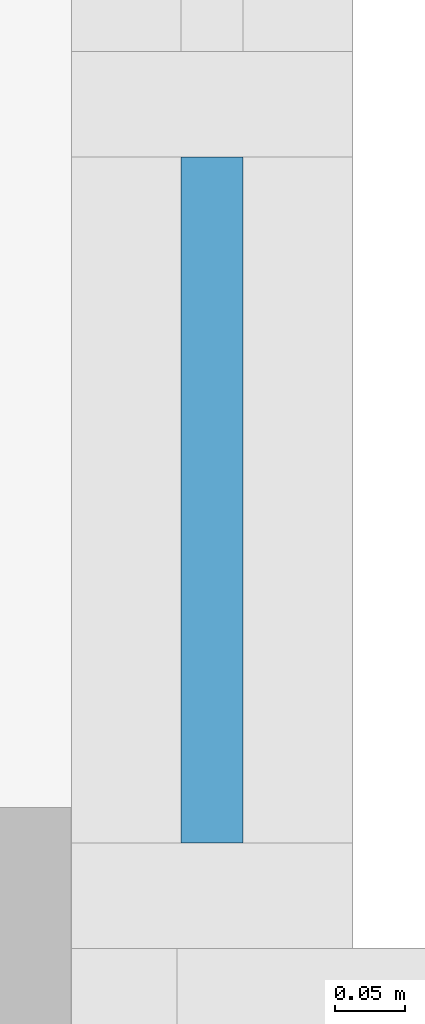
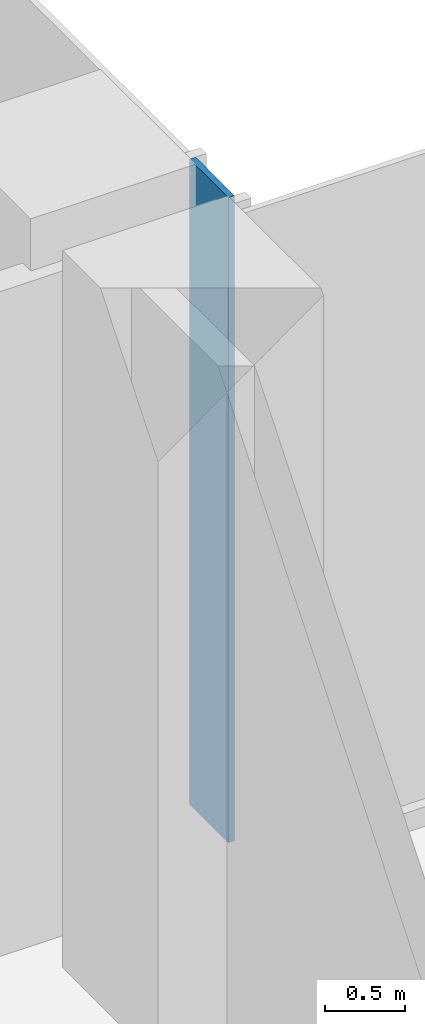
# One storey, part 13 of 30: 1 plate, 1 element without a shape of its own.
"""IFC4 building model written with IfcOpenShell, lengths in metres."""

from ifc_helpers import new_model, si_unit, direction, frame, origin, origin_2d, place, context, subcontext, project, spatial, rectangle, extrude, source, transform, mapped, material, layer, layer_set, type_object, element, aggregate, save


model = new_model("IFC4")

# Units and contexts
model_context = context("Model", 3, precision=1e-05, world=origin(), true_north=direction((0.0, 1.0)))
body_context = subcontext(model_context, "Body", "Model", "MODEL_VIEW")
ifc_project = project(units=[si_unit("LENGTHUNIT", "METRE"), si_unit("AREAUNIT", "SQUARE_METRE"), si_unit("VOLUMEUNIT", "CUBIC_METRE"), si_unit("PLANEANGLEUNIT", "RADIAN"), si_unit("MASSUNIT", "GRAM", prefix="KILO")], contexts=[model_context])

# Site, building, storey
site_placement = place(None, origin())
site = spatial("IfcSite", under=ifc_project, at=site_placement, CompositionType="ELEMENT")
building_placement = place(site_placement, origin())
building = spatial("IfcBuilding", under=site, at=building_placement, Name="Kemantara Hotel Tower", CompositionType="ELEMENT")
storey_placement = place(building_placement, frame((0.0, 0.0, 7.5)))
storey = spatial("IfcBuildingStorey", under=building, at=storey_placement, Name="L01", CompositionType="ELEMENT", Elevation=7.5)

# Curtain wall, plate
ifc_material = material(Name="Laminated tinted insulated glass 44 mm", Category="glass")
curtain_wall_type = type_object("IfcCurtainWallType", Name="PODIUM GLASS CURTAIN WALL", PredefinedType="USERDEFINED", material=ifc_material)
curtain_wall_placement = place(storey_placement, origin())
curtain_wall = element("IfcCurtainWall", 1, at=curtain_wall_placement, inside=storey, type_object=curtain_wall_type, Name="CW1 L01 POD-R08-1", ObjectType="PODIUM GLASS CURTAIN WALL", PredefinedType="USERDEFINED")
ifc_layer = layer(ifc_material, 0.0439453125)
ifc_layer_set = layer_set([ifc_layer], Name="Laminated tinted insulated glass 44 mm")
plate_type = type_object("IfcPlateType", Name="PODIUM GLASS CURTAIN WALL PANEL", PredefinedType="CURTAIN_PANEL", material=ifc_layer_set)
shared_shape = source(origin(), body_context, "Body", "SweptSolid", [
    extrude(rectangle(XDim=0.487548828125, YDim=0.0439453125, at=origin_2d()), origin(), (0.0, 0.0, 1.0), 4.949951171875),
])
plate_placement = place(storey_placement, frame((63.5, 27.11865234375, 0.14990234375), z_axis=(0.0, 0.0, 1.0), x_axis=(0.0, 1.0, 0.0)))
plate = element("IfcPlate", 2, at=plate_placement, type_object=plate_type, Name="CW1 glass panel POD-R08-1.1", PredefinedType="CURTAIN_PANEL", context=body_context, shape_type="MappedRepresentation", body=[
    mapped(shared_shape, transform((0.0, 0.0, 0.0))),
])
aggregate(curtain_wall, [plate])

save(model, "model.ifc")
